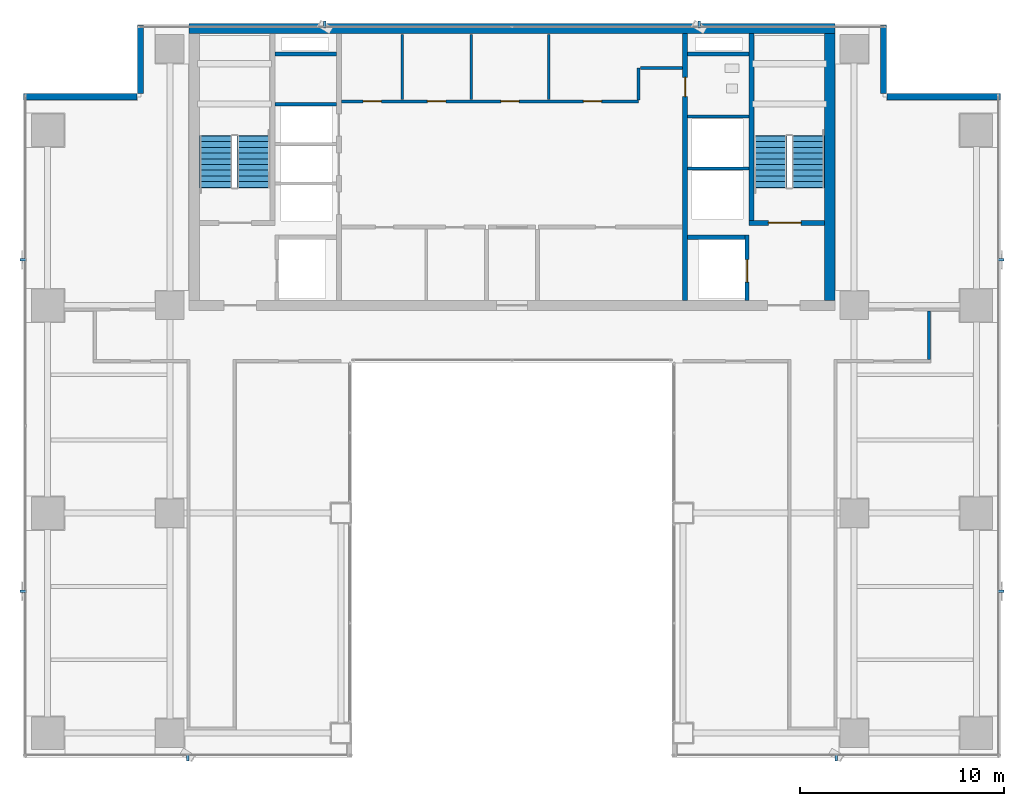
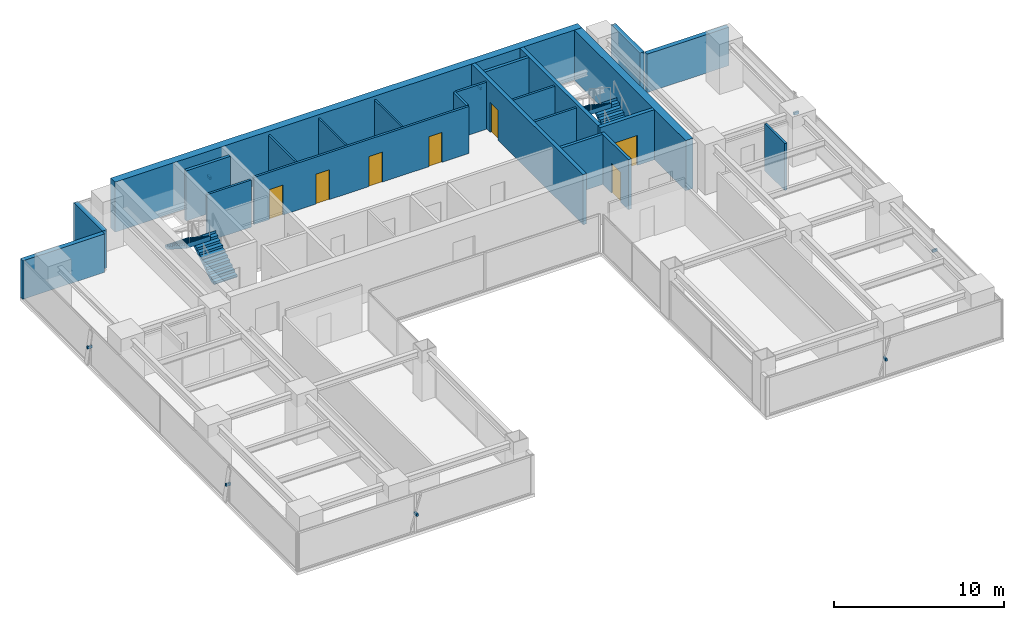
# One storey, part 25 of 29: 23 walls, 8 discrete accessories, 7 doors, 4 stair flights, 7 openings, 2 elements without a shape of their own.
"""IFC4 building model written with IfcOpenShell, lengths in metres."""

from ifc_helpers import new_model, si_unit, direction, frame, frame_2d, origin, origin_2d, place, context, subcontext, project, spatial, polyline, rectangle, outline, extrude, source, transform, mapped, material, layer, layer_set, material_profile, profile_set, type_object, element, fill, aggregate, save


model = new_model("IFC4")

# Units and contexts
model_context = context("Model", 3, precision=1e-05, world=origin(), true_north=direction((0.0, 1.0)))
body_context = subcontext(model_context, "Body", "Model", "MODEL_VIEW")
ifc_project = project(units=[si_unit("LENGTHUNIT", "METRE"), si_unit("AREAUNIT", "SQUARE_METRE"), si_unit("VOLUMEUNIT", "CUBIC_METRE"), si_unit("PLANEANGLEUNIT", "RADIAN"), si_unit("MASSUNIT", "GRAM", prefix="KILO")], contexts=[model_context])

# Site, building, storey
site_placement = place(None, origin())
site = spatial("IfcSite", under=ifc_project, at=site_placement, CompositionType="ELEMENT")
building_placement = place(site_placement, origin())
building = spatial("IfcBuilding", under=site, at=building_placement, Name="Sumidabori Civic Tower", CompositionType="ELEMENT")
storey_placement = place(building_placement, frame((0.0, 0.0, 207.199951171875)))
storey = spatial("IfcBuildingStorey", under=building, at=storey_placement, Name="L53", CompositionType="ELEMENT", Elevation=207.199951171875)

# Walls
ifc_material_1 = material(Name="Concrete C50/60", Category="concrete")
ifc_layer_1 = layer(ifc_material_1, 0.199951171875, Name="Concrete C50/60")
ifc_layer_set_1 = layer_set([ifc_layer_1], Name="Concrete C50/60")
wall_type_1 = type_object("IfcWallType", Name="WL-SHAFT-200", PredefinedType="SHEAR", material=ifc_layer_set_1)
shared_shape_1 = source(origin(), body_context, "Body", "SweptSolid", [
    extrude(rectangle(XDim=2.824951171875, YDim=0.199951171875, at=frame_2d((1.41259765625, 0.0))), origin(), (0.0, 0.0, 1.0), 3.60009765625),
])
wall_1_placement = place(storey_placement, frame((8.625, 13.550048828125, 0.0), z_axis=(0.0, 0.0, 1.0), x_axis=(1.0, 0.0, 0.0)))
element("IfcWall", 1, at=wall_1_placement, inside=storey, type_object=wall_type_1, Name="Core Shear Wall L53 EL2-N", PredefinedType="SHEAR", context=body_context, shape_type="MappedRepresentation", body=[
    mapped(shared_shape_1, transform((0.0, 0.0, 0.0), x_axis=(1.0, 0.0, 0.0), y_axis=(0.0, 1.0, 0.0), z_axis=(0.0, 0.0, 1.0), scale=1.0)),
])
shared_shape_2 = source(origin(), body_context, "Body", "SweptSolid", [
    extrude(rectangle(XDim=3.02001953125, YDim=0.199951171875, at=frame_2d((1.510009765625, 0.0))), origin(), (0.0, 0.0, 1.0), 3.60009765625),
])
for number, where, z_axis, x_axis, name in (
    (2, (-11.64501953125, 22.550048828125, 0.0), (0.0, 0.0, 1.0), (1.0, 0.0, 0.0), "Core Shear Wall L53 RIS1-S"),
    (3, (8.625, 22.550048828125, 0.0), (0.0, 0.0, 1.0), (1.0, 0.0, 0.0), "Core Shear Wall L53 RIS2-S"),
):
    element("IfcWall", number, at=place(storey_placement, frame(where, z_axis=z_axis, x_axis=x_axis)), inside=storey, type_object=wall_type_1, Name=name, PredefinedType="SHEAR", context=body_context, shape_type="MappedRepresentation", body=[
        mapped(shared_shape_2, transform((0.0, 0.0, 0.0), x_axis=(1.0, 0.0, 0.0), y_axis=(0.0, 1.0, 0.0), z_axis=(0.0, 0.0, 1.0), scale=1.0)),
    ])
ifc_layer_2 = layer(ifc_material_1, 0.5, Name="Concrete C50/60")
ifc_layer_set_2 = layer_set([ifc_layer_2], Name="Concrete C50/60")
wall_type_2 = type_object("IfcWallType", Name="WL-CORE-500", PredefinedType="SHEAR", material=ifc_layer_set_2)
shared_shape_3 = source(origin(), body_context, "Body", "SweptSolid", [
    extrude(rectangle(XDim=31.7001953125, YDim=0.5, at=frame_2d((15.85009765625, 0.0))), origin(), (0.0, 0.0, 1.0), 3.60009765625),
])
wall_2_placement = place(storey_placement, frame((-15.85009765625, 23.800048828125, 0.0), z_axis=(0.0, 0.0, 1.0), x_axis=(1.0, 0.0, 0.0)))
element("IfcWall", 4, at=wall_2_placement, inside=storey, type_object=wall_type_2, Name="Core Shear Wall L53 N", PredefinedType="SHEAR", context=body_context, shape_type="MappedRepresentation", body=[
    mapped(shared_shape_3, transform((0.0, 0.0, 0.0), x_axis=(1.0, 0.0, 0.0), y_axis=(0.0, 1.0, 0.0), z_axis=(0.0, 0.0, 1.0), scale=1.0)),
])
shared_shape_4 = source(origin(), body_context, "Body", "SweptSolid", [
    extrude(rectangle(XDim=13.10009765625, YDim=0.5, at=frame_2d((6.550048828125, 0.0))), origin(), (0.0, 0.0, 1.0), 3.60009765625),
])
wall_3_placement = place(storey_placement, frame((15.60009765625, 10.449951171875, 0.0), z_axis=(0.0, 0.0, 1.0), x_axis=(0.0, 1.0, 0.0)))
element("IfcWall", 5, at=wall_3_placement, inside=storey, type_object=wall_type_2, Name="Core Shear Wall L53 E", PredefinedType="SHEAR", context=body_context, shape_type="MappedRepresentation", body=[
    mapped(shared_shape_4, transform((0.0, 0.0, 0.0), x_axis=(1.0, 0.0, 0.0), y_axis=(0.0, 1.0, 0.0), z_axis=(0.0, 0.0, 1.0), scale=1.0)),
])

# Wall, opening, door
ifc_layer_3 = layer(ifc_material_1, 0.25, Name="Concrete C50/60")
ifc_layer_set_3 = layer_set([ifc_layer_3], Name="Concrete C50/60")
wall_type_3 = type_object("IfcWallType", Name="WL-SHAFT-250", PredefinedType="SHEAR", material=ifc_layer_set_3)
shared_shape_5 = source(origin(), body_context, "Body", "SweptSolid", [
    extrude(rectangle(XDim=13.10009765625, YDim=0.25, at=frame_2d((6.550048828125, 0.0))), origin(), (0.0, 0.0, 1.0), 3.60009765625),
])
wall_4_placement = place(storey_placement, frame((8.5, 10.449951171875, 0.0), z_axis=(0.0, 0.0, 1.0), x_axis=(0.0, 1.0, 0.0)))
wall_4 = element("IfcWall", 6, at=wall_4_placement, inside=storey, type_object=wall_type_3, Name="Core Shear Wall L53 WEB-E", PredefinedType="SHEAR", context=body_context, shape_type="MappedRepresentation", body=[
    mapped(shared_shape_5, transform((0.0, 0.0, 0.0), x_axis=(1.0, 0.0, 0.0), y_axis=(0.0, 1.0, 0.0), z_axis=(0.0, 0.0, 1.0), scale=1.0)),
])
opening_1_placement = place(wall_4_placement, frame((10.0, 0.0, 0.0)))
opening_1 = element("IfcOpeningElement", 7, at=opening_1_placement, cuts=wall_4, Name="Opening DR-2", PredefinedType="OPENING", context=body_context, shape_type="SweptSolid", body=[
    extrude(rectangle(XDim=0.949951171875, YDim=2.14990234375, at=frame_2d((0.47509765625, 1.074951171875))), frame((0.0, 0.136962890625, 0.0), z_axis=(0.0, -1.0, 0.0), x_axis=(1.0, 0.0, 0.0)), (0.0, 0.0, 1.0), 0.27392578125),
])
ifc_material_2 = material(Name="Japanese Hinoki Timber", Category="wood")
door_type_1 = type_object("IfcDoorType", Name="DR-INT-950", OperationType="NOTDEFINED", PredefinedType="DOOR", material=ifc_material_2)
shared_shape_6 = source(origin(), body_context, "Body", "SweptSolid", [
    extrude(rectangle(XDim=0.949951171875, YDim=2.14990234375, at=frame_2d((0.47509765625, 1.074951171875))), frame((0.0, 0.02490234375, 0.0), z_axis=(0.0, -1.0, 0.0), x_axis=(1.0, 0.0, 0.0)), (0.0, 0.0, 1.0), 0.050048828125),
])
door_1_placement = place(opening_1_placement, origin())
door_1 = element("IfcDoor", 8, at=door_1_placement, inside=storey, type_object=door_type_1, Name="Door DR:L53:WC-ACC", OperationType="SINGLE_SWING_RIGHT", OverallHeight=2.14990234375, OverallWidth=0.949951171875, PredefinedType="DOOR", context=body_context, shape_type="MappedRepresentation", body=[
    mapped(shared_shape_6, transform((0.0, 0.0, 0.0), x_axis=(1.0, 0.0, 0.0), y_axis=(0.0, 1.0, 0.0), z_axis=(0.0, 0.0, 1.0), scale=1.0)),
])
fill(opening_1, door_1)

shared_shape_7 = source(origin(), body_context, "Body", "SweptSolid", [
    extrude(rectangle(XDim=3.705078125, YDim=0.25, at=frame_2d((1.8525390625, 0.0))), origin(), (0.0, 0.0, 1.0), 3.60009765625),
])
wall_5_placement = place(storey_placement, frame((11.64501953125, 14.25, 0.0), z_axis=(0.0, 0.0, 1.0), x_axis=(1.0, 0.0, 0.0)))
wall_5 = element("IfcWall", 9, at=wall_5_placement, inside=storey, type_object=wall_type_3, Name="Core Shear Wall L53 ST2-S", PredefinedType="SHEAR", context=body_context, shape_type="MappedRepresentation", body=[
    mapped(shared_shape_7, transform((0.0, 0.0, 0.0), x_axis=(1.0, 0.0, 0.0), y_axis=(0.0, 1.0, 0.0), z_axis=(0.0, 0.0, 1.0), scale=1.0)),
])
opening_2_placement = place(wall_5_placement, frame((0.949951171875, 0.0, 0.0)))
opening_2 = element("IfcOpeningElement", 10, at=opening_2_placement, cuts=wall_5, Name="Opening DR-FD4", PredefinedType="OPENING", context=body_context, shape_type="SweptSolid", body=[
    extrude(rectangle(XDim=1.60009765625, YDim=2.14990234375, at=frame_2d((0.800048828125, 1.074951171875))), frame((0.0, 0.136962890625, 0.0), z_axis=(0.0, -1.0, 0.0), x_axis=(1.0, 0.0, 0.0)), (0.0, 0.0, 1.0), 0.27392578125),
])
ifc_material_3 = material(Name="Steel SN490", Category="steel")
door_type_2 = type_object("IfcDoorType", Name="DR-FD4", OperationType="DOUBLE_DOOR_SINGLE_SWING", PredefinedType="DOOR", material=ifc_material_3)
shared_shape_8 = source(origin(), body_context, "Body", "SweptSolid", [
    extrude(rectangle(XDim=1.60009765625, YDim=2.14990234375, at=frame_2d((0.800048828125, 1.074951171875))), frame((0.0, 0.02490234375, 0.0), z_axis=(0.0, -1.0, 0.0), x_axis=(1.0, 0.0, 0.0)), (0.0, 0.0, 1.0), 0.050048828125),
])
door_2_placement = place(opening_2_placement, origin())
door_2 = element("IfcDoor", 11, at=door_2_placement, inside=storey, type_object=door_type_2, Name="Door DR:L53:ST2", OperationType="DOUBLE_DOOR_SINGLE_SWING", OverallHeight=2.14990234375, OverallWidth=1.60009765625, PredefinedType="DOOR", context=body_context, shape_type="MappedRepresentation", body=[
    mapped(shared_shape_8, transform((0.0, 0.0, 0.0), x_axis=(1.0, 0.0, 0.0), y_axis=(0.0, 1.0, 0.0), z_axis=(0.0, 0.0, 1.0), scale=1.0)),
])
fill(opening_2, door_2)

# Wall
shared_shape_9 = source(origin(), body_context, "Body", "SweptSolid", [
    extrude(rectangle(XDim=9.175048828125, YDim=0.25, at=frame_2d((4.58740234375, 0.0))), origin(), (0.0, 0.0, 1.0), 3.60009765625),
])
wall_6_placement = place(storey_placement, frame((11.77001953125, 14.375, 0.0), z_axis=(0.0, 0.0, 1.0), x_axis=(0.0, 1.0, 0.0)))
element("IfcWall", 12, at=wall_6_placement, inside=storey, type_object=wall_type_3, Name="Core Shear Wall L53 ST2-W", PredefinedType="SHEAR", context=body_context, shape_type="MappedRepresentation", body=[
    mapped(shared_shape_9, transform((0.0, 0.0, 0.0), x_axis=(1.0, 0.0, 0.0), y_axis=(0.0, 1.0, 0.0), z_axis=(0.0, 0.0, 1.0), scale=1.0)),
])

# Wall, opening, door
shared_shape_10 = source(origin(), body_context, "Body", "SweptSolid", [
    extrude(rectangle(XDim=3.199951171875, YDim=0.199951171875, at=frame_2d((1.60009765625, 0.0))), origin(), (0.0, 0.0, 1.0), 3.60009765625),
])
wall_7_placement = place(storey_placement, frame((11.550048828125, 10.449951171875, 0.0), z_axis=(0.0, 0.0, 1.0), x_axis=(0.0, 1.0, 0.0)))
wall_7 = element("IfcWall", 13, at=wall_7_placement, inside=storey, type_object=wall_type_1, Name="Core Shear Wall L53 EL2-E", PredefinedType="SHEAR", context=body_context, shape_type="MappedRepresentation", body=[
    mapped(shared_shape_10, transform((0.0, 0.0, 0.0), x_axis=(1.0, 0.0, 0.0), y_axis=(0.0, 1.0, 0.0), z_axis=(0.0, 0.0, 1.0), scale=1.0)),
])
opening_3_placement = place(wall_7_placement, frame((0.89990234375, 0.0, 0.0)))
opening_3 = element("IfcOpeningElement", 14, at=opening_3_placement, cuts=wall_7, Name="Opening LD-2", PredefinedType="OPENING", context=body_context, shape_type="SweptSolid", body=[
    extrude(rectangle(XDim=1.10009765625, YDim=2.14990234375, at=frame_2d((0.550048828125, 1.074951171875))), frame((0.0, 0.11181640625, 0.0), z_axis=(0.0, -1.0, 0.0), x_axis=(1.0, 0.0, 0.0)), (0.0, 0.0, 1.0), 0.223876953125),
])
ifc_material_4 = material(Name="Stainless Steel Hairline Finish", Category="steel")
door_type_3 = type_object("IfcDoorType", Name="DR-LD2", OperationType="DOUBLE_DOOR_SLIDING", PredefinedType="DOOR", material=ifc_material_4)
shared_shape_11 = source(origin(), body_context, "Body", "SweptSolid", [
    extrude(rectangle(XDim=1.10009765625, YDim=2.14990234375, at=frame_2d((0.550048828125, 1.074951171875))), frame((0.0, 0.02490234375, 0.0), z_axis=(0.0, -1.0, 0.0), x_axis=(1.0, 0.0, 0.0)), (0.0, 0.0, 1.0), 0.050048828125),
])
door_3_placement = place(opening_3_placement, origin())
door_3 = element("IfcDoor", 15, at=door_3_placement, inside=storey, type_object=door_type_3, Name="Door DR:L53:LD-EL2", OperationType="DOUBLE_DOOR_SLIDING", OverallHeight=2.14990234375, OverallWidth=1.10009765625, PredefinedType="DOOR", context=body_context, shape_type="MappedRepresentation", body=[
    mapped(shared_shape_11, transform((0.0, 0.0, 0.0), x_axis=(1.0, 0.0, 0.0), y_axis=(0.0, 1.0, 0.0), z_axis=(0.0, 0.0, 1.0), scale=1.0)),
])
fill(opening_3, door_3)

# Walls
ifc_material_5 = material(Name="Precast concrete C40/50", Category="concrete")
ifc_layer_4 = layer(ifc_material_5, 0.300048828125, Name="Precast concrete C40/50")
ifc_layer_set_4 = layer_set([ifc_layer_4], Name="Precast concrete C40/50")
wall_type_4 = type_object("IfcWallType", Name="WL-EXT-POD300", PredefinedType="STANDARD", material=ifc_layer_set_4)
shared_shape_12 = source(origin(), body_context, "Body", "SweptSolid", [
    extrude(rectangle(XDim=5.56005859375, YDim=0.300048828125, at=frame_2d((2.780029296875, 0.0))), origin(), (0.0, 0.0, 1.0), 2.760009765625),
])
for number, where, z_axis, x_axis, name in (
    (16, (23.97998046875, 20.449951171875, 0.0), (0.0, 0.0, 1.0), (-1.0, 0.0, 0.0), "Notched Corner Spandrel Band L53-11"),
    (17, (-18.419921875, 20.449951171875, 0.0), (0.0, 0.0, 1.0), (-1.0, 0.0, 0.0), "Notched Corner Spandrel Band L53-15"),
):
    element("IfcWall", number, at=place(storey_placement, frame(where, z_axis=z_axis, x_axis=x_axis)), inside=storey, type_object=wall_type_4, Name=name, PredefinedType="STANDARD", context=body_context, shape_type="MappedRepresentation", body=[
        mapped(shared_shape_12, transform((0.0, 0.0, 0.0), x_axis=(1.0, 0.0, 0.0), y_axis=(0.0, 1.0, 0.0), z_axis=(0.0, 0.0, 1.0), scale=1.0)),
    ])
shared_shape_13 = source(origin(), body_context, "Body", "SweptSolid", [
    extrude(rectangle(XDim=3.35986328125, YDim=0.300048828125, at=frame_2d((1.679931640625, 0.0))), origin(), (0.0, 0.0, 1.0), 2.760009765625),
])
for number, where, z_axis, x_axis, name in (
    (18, (18.25, 20.6201171875, 0.0), (0.0, 0.0, 1.0), (0.0, 1.0, 0.0), "Notched Corner Spandrel Band L53-12"),
    (19, (-18.25, 23.97998046875, 0.0), (0.0, 0.0, 1.0), (0.0, -1.0, 0.0), "Notched Corner Spandrel Band L53-14"),
):
    element("IfcWall", number, at=place(storey_placement, frame(where, z_axis=z_axis, x_axis=x_axis)), inside=storey, type_object=wall_type_4, Name=name, PredefinedType="STANDARD", context=body_context, shape_type="MappedRepresentation", body=[
        mapped(shared_shape_13, transform((0.0, 0.0, 0.0), x_axis=(1.0, 0.0, 0.0), y_axis=(0.0, 1.0, 0.0), z_axis=(0.0, 0.0, 1.0), scale=1.0)),
    ])
ifc_material_6 = material(Name="Gypsum Plasterboard Acoustic Partition")
ifc_layer_5 = layer(ifc_material_6, 0.14990234375, Name="Gypsum Plasterboard Acoustic Partition")
ifc_layer_set_5 = layer_set([ifc_layer_5], Name="Gypsum Plasterboard Acoustic Partition")
wall_type_5 = type_object("IfcWallType", Name="WL-PART-150", PredefinedType="PARTITIONING", material=ifc_layer_set_5)
shared_shape_14 = source(origin(), body_context, "Body", "SweptSolid", [
    extrude(rectangle(XDim=3.010009765625, YDim=0.14990234375, at=frame_2d((1.5048828125, 0.0))), origin(), (0.0, 0.0, 1.0), 3.380126953125),
])
for number, where, z_axis, x_axis, name in (
    (20, (-11.639892578125, 20.080078125, 0.0), (0.0, 0.0, 1.0), (1.0, 0.0, 0.0), "Interior Partition WL:L53:DIV-PLH3"),
    (21, (8.6298828125, 16.919921875, 0.0), (0.0, 0.0, 1.0), (1.0, 0.0, 0.0), "Interior Partition WL:L53:DIV-OBS1"),
    (22, (8.6298828125, 19.469970703125, 0.0), (0.0, 0.0, 1.0), (1.0, 0.0, 0.0), "Interior Partition WL:L53:DIV-OBS2"),
):
    element("IfcWall", number, at=place(storey_placement, frame(where, z_axis=z_axis, x_axis=x_axis)), inside=storey, type_object=wall_type_5, Name=name, PredefinedType="PARTITIONING", context=body_context, shape_type="MappedRepresentation", body=[
        mapped(shared_shape_14, transform((0.0, 0.0, 0.0), x_axis=(1.0, 0.0, 0.0), y_axis=(0.0, 1.0, 0.0), z_axis=(0.0, 0.0, 1.0), scale=1.0)),
    ])

# Wall, openings, doors
shared_shape_15 = source(origin(), body_context, "Body", "SweptSolid", [
    extrude(rectangle(XDim=14.590087890625, YDim=0.14990234375, at=frame_2d((7.294921875, 0.0))), origin(), (0.0, 0.0, 1.0), 3.380126953125),
])
wall_8_placement = place(storey_placement, frame((-8.3701171875, 20.219970703125, 0.0), z_axis=(0.0, 0.0, 1.0), x_axis=(1.0, 0.0, 0.0)))
wall_8 = element("IfcWall", 23, at=wall_8_placement, inside=storey, type_object=wall_type_5, Name="Interior Partition WL:L53:CBAND-M", PredefinedType="PARTITIONING", context=body_context, shape_type="MappedRepresentation", body=[
    mapped(shared_shape_15, transform((0.0, 0.0, 0.0), x_axis=(1.0, 0.0, 0.0), y_axis=(0.0, 1.0, 0.0), z_axis=(0.0, 0.0, 1.0), scale=1.0)),
])
opening_4_placement = place(wall_8_placement, frame((1.06005859375, 0.0, 0.0)))
opening_4 = element("IfcOpeningElement", 24, at=opening_4_placement, cuts=wall_8, Name="Opening DR-1", PredefinedType="OPENING", context=body_context, shape_type="SweptSolid", body=[
    extrude(rectangle(XDim=0.89990234375, YDim=2.14990234375, at=frame_2d((0.449951171875, 1.074951171875))), frame((0.0, 0.0869140625, 0.0), z_axis=(0.0, -1.0, 0.0), x_axis=(1.0, 0.0, 0.0)), (0.0, 0.0, 1.0), 0.173828125),
])
opening_5_placement = place(wall_8_placement, frame((4.219970703125, 0.0, 0.0)))
opening_5 = element("IfcOpeningElement", 25, at=opening_5_placement, cuts=wall_8, Name="Opening DR-1", PredefinedType="OPENING", context=body_context, shape_type="SweptSolid", body=[
    extrude(rectangle(XDim=0.89990234375, YDim=2.14990234375, at=frame_2d((0.449951171875, 1.074951171875))), frame((0.0, 0.0869140625, 0.0), z_axis=(0.0, -1.0, 0.0), x_axis=(1.0, 0.0, 0.0)), (0.0, 0.0, 1.0), 0.173828125),
])
opening_6_placement = place(wall_8_placement, frame((7.820068359375, 0.0, 0.0)))
opening_6 = element("IfcOpeningElement", 26, at=opening_6_placement, cuts=wall_8, Name="Opening DR-1", PredefinedType="OPENING", context=body_context, shape_type="SweptSolid", body=[
    extrude(rectangle(XDim=0.89990234375, YDim=2.14990234375, at=frame_2d((0.449951171875, 1.074951171875))), frame((0.0, 0.0869140625, 0.0), z_axis=(0.0, -1.0, 0.0), x_axis=(1.0, 0.0, 0.0)), (0.0, 0.0, 1.0), 0.173828125),
])
opening_7_placement = place(wall_8_placement, frame((11.8701171875, 0.0, 0.0)))
opening_7 = element("IfcOpeningElement", 27, at=opening_7_placement, cuts=wall_8, Name="Opening DR-1", PredefinedType="OPENING", context=body_context, shape_type="SweptSolid", body=[
    extrude(rectangle(XDim=0.89990234375, YDim=2.14990234375, at=frame_2d((0.449951171875, 1.074951171875))), frame((0.0, 0.0869140625, 0.0), z_axis=(0.0, -1.0, 0.0), x_axis=(1.0, 0.0, 0.0)), (0.0, 0.0, 1.0), 0.173828125),
])
door_type_4 = type_object("IfcDoorType", Name="DR-INT-900", OperationType="NOTDEFINED", PredefinedType="DOOR", material=ifc_material_2)
shared_shape_16 = source(origin(), body_context, "Body", "SweptSolid", [
    extrude(rectangle(XDim=0.89990234375, YDim=2.14990234375, at=frame_2d((0.449951171875, 1.074951171875))), frame((0.0, 0.02490234375, 0.0), z_axis=(0.0, -1.0, 0.0), x_axis=(1.0, 0.0, 0.0)), (0.0, 0.0, 1.0), 0.050048828125),
])
door_4_placement = place(opening_4_placement, origin())
door_4 = element("IfcDoor", 28, at=door_4_placement, inside=storey, type_object=door_type_4, Name="Door DR:L53:CB-1", OperationType="SINGLE_SWING_LEFT", OverallHeight=2.14990234375, OverallWidth=0.89990234375, PredefinedType="DOOR", context=body_context, shape_type="MappedRepresentation", body=[
    mapped(shared_shape_16, transform((0.0, 0.0, 0.0), x_axis=(1.0, 0.0, 0.0), y_axis=(0.0, 1.0, 0.0), z_axis=(0.0, 0.0, 1.0), scale=1.0)),
])
fill(opening_4, door_4)
door_5_placement = place(opening_5_placement, origin())
door_5 = element("IfcDoor", 29, at=door_5_placement, inside=storey, type_object=door_type_4, Name="Door DR:L53:CB-2", OperationType="SINGLE_SWING_RIGHT", OverallHeight=2.14990234375, OverallWidth=0.89990234375, PredefinedType="DOOR", context=body_context, shape_type="MappedRepresentation", body=[
    mapped(shared_shape_16, transform((0.0, 0.0, 0.0), x_axis=(1.0, 0.0, 0.0), y_axis=(0.0, 1.0, 0.0), z_axis=(0.0, 0.0, 1.0), scale=1.0)),
])
fill(opening_5, door_5)
door_6_placement = place(opening_6_placement, origin())
door_6 = element("IfcDoor", 30, at=door_6_placement, inside=storey, type_object=door_type_4, Name="Door DR:L53:CB-3", OperationType="SINGLE_SWING_LEFT", OverallHeight=2.14990234375, OverallWidth=0.89990234375, PredefinedType="DOOR", context=body_context, shape_type="MappedRepresentation", body=[
    mapped(shared_shape_16, transform((0.0, 0.0, 0.0), x_axis=(1.0, 0.0, 0.0), y_axis=(0.0, 1.0, 0.0), z_axis=(0.0, 0.0, 1.0), scale=1.0)),
])
fill(opening_6, door_6)
door_7_placement = place(opening_7_placement, origin())
door_7 = element("IfcDoor", 31, at=door_7_placement, inside=storey, type_object=door_type_4, Name="Door DR:L53:CB-4", OperationType="SINGLE_SWING_RIGHT", OverallHeight=2.14990234375, OverallWidth=0.89990234375, PredefinedType="DOOR", context=body_context, shape_type="MappedRepresentation", body=[
    mapped(shared_shape_16, transform((0.0, 0.0, 0.0), x_axis=(1.0, 0.0, 0.0), y_axis=(0.0, 1.0, 0.0), z_axis=(0.0, 0.0, 1.0), scale=1.0)),
])
fill(opening_7, door_7)

# Walls
shared_shape_17 = source(origin(), body_context, "Body", "SweptSolid", [
    extrude(rectangle(XDim=1.550048828125, YDim=0.14990234375, at=frame_2d((0.77490234375, 0.0))), origin(), (0.0, 0.0, 1.0), 3.380126953125),
])
wall_9_placement = place(storey_placement, frame((6.219970703125, 20.300048828125, 0.0), z_axis=(0.0, 0.0, 1.0), x_axis=(0.0, 1.0, 0.0)))
element("IfcWall", 32, at=wall_9_placement, inside=storey, type_object=wall_type_5, Name="Interior Partition WL:L53:CBAND-ME1", PredefinedType="PARTITIONING", context=body_context, shape_type="MappedRepresentation", body=[
    mapped(shared_shape_17, transform((0.0, 0.0, 0.0), x_axis=(1.0, 0.0, 0.0), y_axis=(0.0, 1.0, 0.0), z_axis=(0.0, 0.0, 1.0), scale=1.0)),
])
shared_shape_18 = source(origin(), body_context, "Body", "SweptSolid", [
    extrude(rectangle(XDim=2.070068359375, YDim=0.14990234375, at=frame_2d((1.03515625, 0.0))), origin(), (0.0, 0.0, 1.0), 3.380126953125),
])
wall_10_placement = place(storey_placement, frame((6.300048828125, 21.85009765625, 0.0), z_axis=(0.0, 0.0, 1.0), x_axis=(1.0, 0.0, 0.0)))
element("IfcWall", 33, at=wall_10_placement, inside=storey, type_object=wall_type_5, Name="Interior Partition WL:L53:CBAND-ME2", PredefinedType="PARTITIONING", context=body_context, shape_type="MappedRepresentation", body=[
    mapped(shared_shape_18, transform((0.0, 0.0, 0.0), x_axis=(1.0, 0.0, 0.0), y_axis=(0.0, 1.0, 0.0), z_axis=(0.0, 0.0, 1.0), scale=1.0)),
])
ifc_layer_6 = layer(ifc_material_6, 0.1201171875, Name="Gypsum Plasterboard Acoustic Partition")
ifc_layer_set_6 = layer_set([ifc_layer_6], Name="Gypsum Plasterboard Acoustic Partition")
wall_type_6 = type_object("IfcWallType", Name="WL-PART-120", PredefinedType="PARTITIONING", material=ifc_layer_set_6)
shared_shape_19 = source(origin(), body_context, "Body", "SweptSolid", [
    extrude(rectangle(XDim=3.18994140625, YDim=0.1201171875, at=frame_2d((1.594970703125, 0.0))), origin(), (0.0, 0.0, 1.0), 3.380126953125),
])
for number, where, z_axis, x_axis, name in (
    (34, (-5.39990234375, 20.320068359375, 0.0), (0.0, 0.0, 1.0), (0.0, 1.0, 0.0), "Interior Partition WL:L53:LV8-S1"),
    (35, (-2.0, 20.320068359375, 0.0), (0.0, 0.0, 1.0), (0.0, 1.0, 0.0), "Interior Partition WL:L53:LV8-S2"),
    (36, (1.800048828125, 20.320068359375, 0.0), (0.0, 0.0, 1.0), (0.0, 1.0, 0.0), "Interior Partition WL:L53:LV8-S3"),
):
    element("IfcWall", number, at=place(storey_placement, frame(where, z_axis=z_axis, x_axis=x_axis)), inside=storey, type_object=wall_type_6, Name=name, PredefinedType="PARTITIONING", context=body_context, shape_type="MappedRepresentation", body=[
        mapped(shared_shape_19, transform((0.0, 0.0, 0.0), x_axis=(1.0, 0.0, 0.0), y_axis=(0.0, 1.0, 0.0), z_axis=(0.0, 0.0, 1.0), scale=1.0)),
    ])
shared_shape_20 = source(origin(), body_context, "Body", "SweptSolid", [
    extrude(rectangle(XDim=2.364990234375, YDim=0.14990234375, at=frame_2d((1.1826171875, 0.0))), origin(), (0.0, 0.0, 1.0), 3.380126953125),
])
wall_11_placement = place(storey_placement, frame((20.47509765625, 7.554931640625, 0.0), z_axis=(0.0, 0.0, 1.0), x_axis=(0.0, 1.0, 0.0)))
element("IfcWall", 37, at=wall_11_placement, inside=storey, type_object=wall_type_5, Name="Interior Partition WL:L53:CORR-VNE", PredefinedType="PARTITIONING", context=body_context, shape_type="MappedRepresentation", body=[
    mapped(shared_shape_20, transform((0.0, 0.0, 0.0), x_axis=(1.0, 0.0, 0.0), y_axis=(0.0, 1.0, 0.0), z_axis=(0.0, 0.0, 1.0), scale=1.0)),
])

# Stair, stair flights
ifc_material_7 = material(Name="Concrete C40/50", Category="concrete")
stair_type = type_object("IfcStairType", Name="ST-CORE-1600", PredefinedType="HALF_TURN_STAIR", material=ifc_material_7)
stair_1_placement = place(storey_placement, origin())
stair_1 = element("IfcStair", 38, at=stair_1_placement, inside=storey, type_object=stair_type, Name="L53 ST-1", PredefinedType="HALF_TURN_STAIR")
stair_flight_type = type_object("IfcStairFlightType", Name="SF-CORE-1600", PredefinedType="STRAIGHT", material=ifc_material_7)
shared_shape_21 = source(origin(), body_context, "Body", "SweptSolid", [
    extrude(outline(polyline([(-0.02490234375, 0.0), (-0.02490234375, 0.0400390625), (0.0, 0.0400390625), (0.0, 0.179931640625), (0.280029296875, 0.179931640625), (0.280029296875, 0.360107421875), (0.56005859375, 0.360107421875), (0.56005859375, 0.5400390625), (0.840087890625, 0.5400390625), (0.840087890625, 0.719970703125), (1.1201171875, 0.719970703125), (1.1201171875, 0.89990234375), (1.39990234375, 0.89990234375), (1.39990234375, 1.080078125), (1.679931640625, 1.080078125), (1.679931640625, 1.260009765625), (1.9599609375, 1.260009765625), (1.9599609375, 1.43994140625), (2.239990234375, 1.43994140625), (2.239990234375, 1.6201171875), (2.52001953125, 1.6201171875), (2.52001953125, 1.800048828125), (2.544921875, 1.800048828125), (2.544921875, 1.650146484375), (2.52001953125, 1.44189453125), (0.277099609375, 0.0), (-0.02490234375, 0.0)])), frame((0.0, 0.800048828125, 0.0), z_axis=(0.0, -1.0, 0.0), x_axis=(1.0, 0.0, 0.0)), (0.0, 0.0, 1.0), 1.60009765625),
])
stair_flight_1_placement = place(storey_placement, frame((-12.699951171875, 16.0, 0.0), z_axis=(0.0, 0.0, 1.0), x_axis=(0.0, 1.0, 0.0)))
stair_flight_1 = element("IfcStairFlight", 39, at=stair_flight_1_placement, type_object=stair_flight_type, Name="ST-1 flight 1", NumberOfRisers=10, NumberOfTreads=9, PredefinedType="STRAIGHT", RiserHeight=0.18, TreadLength=0.28, context=body_context, shape_type="MappedRepresentation", body=[
    mapped(shared_shape_21, transform((0.0, 0.0, 0.0), x_axis=(1.0, 0.0, 0.0), y_axis=(0.0, 1.0, 0.0), z_axis=(0.0, 0.0, 1.0), scale=1.0)),
])
stair_flight_2_placement = place(storey_placement, frame((-14.5400390625, 18.52001953125, 1.800048828125), z_axis=(0.0, 0.0, 1.0), x_axis=(0.0, -1.0, 0.0)))
stair_flight_2 = element("IfcStairFlight", 40, at=stair_flight_2_placement, type_object=stair_flight_type, Name="ST-1 flight 2", NumberOfRisers=10, NumberOfTreads=9, PredefinedType="STRAIGHT", RiserHeight=0.18, TreadLength=0.28, context=body_context, shape_type="MappedRepresentation", body=[
    mapped(shared_shape_21, transform((0.0, 0.0, 0.0), x_axis=(1.0, 0.0, 0.0), y_axis=(0.0, 1.0, 0.0), z_axis=(0.0, 0.0, 1.0), scale=1.0)),
])
aggregate(stair_1, [stair_flight_1, stair_flight_2])

stair_2_placement = place(storey_placement, origin())
stair_2 = element("IfcStair", 41, at=stair_2_placement, inside=storey, type_object=stair_type, Name="L53 ST-2", PredefinedType="HALF_TURN_STAIR")
stair_flight_3_placement = place(storey_placement, frame((14.5400390625, 16.0, 0.0), z_axis=(0.0, 0.0, 1.0), x_axis=(0.0, 1.0, 0.0)))
stair_flight_3 = element("IfcStairFlight", 42, at=stair_flight_3_placement, type_object=stair_flight_type, Name="ST-2 flight 1", NumberOfRisers=10, NumberOfTreads=9, PredefinedType="STRAIGHT", RiserHeight=0.18, TreadLength=0.28, context=body_context, shape_type="MappedRepresentation", body=[
    mapped(shared_shape_21, transform((0.0, 0.0, 0.0), x_axis=(1.0, 0.0, 0.0), y_axis=(0.0, 1.0, 0.0), z_axis=(0.0, 0.0, 1.0), scale=1.0)),
])
stair_flight_4_placement = place(storey_placement, frame((12.699951171875, 18.52001953125, 1.800048828125), z_axis=(0.0, 0.0, 1.0), x_axis=(0.0, -1.0, 0.0)))
stair_flight_4 = element("IfcStairFlight", 43, at=stair_flight_4_placement, type_object=stair_flight_type, Name="ST-2 flight 2", NumberOfRisers=10, NumberOfTreads=9, PredefinedType="STRAIGHT", RiserHeight=0.18, TreadLength=0.28, context=body_context, shape_type="MappedRepresentation", body=[
    mapped(shared_shape_21, transform((0.0, 0.0, 0.0), x_axis=(1.0, 0.0, 0.0), y_axis=(0.0, 1.0, 0.0), z_axis=(0.0, 0.0, 1.0), scale=1.0)),
])
aggregate(stair_2, [stair_flight_3, stair_flight_4])

# Discrete accessories
ifc_material_profile = material_profile(ifc_material_4, rectangle(XDim=0.1201171875, YDim=0.179931640625, at=origin_2d()), Name="STEEL BRACKET 180x120")
ifc_profile_set = profile_set([ifc_material_profile], Name="Stainless Steel Hairline Finish")
discrete_accessory_type = type_object("IfcDiscreteAccessoryType", Name="AC-BRK-180", PredefinedType="BRACKET", material=ifc_profile_set)
shared_shape_22 = source(origin(), body_context, "Body", "SweptSolid", [
    extrude(rectangle(XDim=0.1201171875, YDim=0.179931640625, at=origin_2d()), origin(), (0.0, 0.0, 1.0), 0.329833984375),
])
for number, where, z_axis, x_axis, name in (
    (44, (-15.925048828125, -11.830078125, 1.3701171875), (0.0, -1.0, 0.0), (1.0, 0.0, 0.0), "Bronze Fin Fixing Bracket L53-01"),
    (45, (15.925048828125, -11.830078125, 1.3701171875), (0.0, -1.0, 0.0), (1.0, 0.0, 0.0), "Bronze Fin Fixing Bracket L53-01"),
    (46, (23.830078125, -3.8349609375, 1.3701171875), (1.0, 0.0, 0.0), (0.0, 1.0, 0.0), "Bronze Fin Fixing Bracket L53-01"),
    (47, (23.830078125, 12.43505859375, 1.3701171875), (1.0, 0.0, 0.0), (0.0, 1.0, 0.0), "Bronze Fin Fixing Bracket L53-03"),
    (48, (9.18505859375, 23.830078125, 1.3701171875), (0.0, 1.0, 0.0), (-1.0, 0.0, 0.0), "Bronze Fin Fixing Bracket L53-01"),
    (49, (-9.18505859375, 23.830078125, 1.3701171875), (0.0, 1.0, 0.0), (-1.0, 0.0, 0.0), "Bronze Fin Fixing Bracket L53-03"),
    (50, (-23.830078125, 12.43505859375, 1.3701171875), (-1.0, 0.0, 0.0), (0.0, -1.0, 0.0), "Bronze Fin Fixing Bracket L53-01"),
    (51, (-23.830078125, -3.8349609375, 1.3701171875), (-1.0, 0.0, 0.0), (0.0, -1.0, 0.0), "Bronze Fin Fixing Bracket L53-03"),
):
    element("IfcDiscreteAccessory", number, at=place(storey_placement, frame(where, z_axis=z_axis, x_axis=x_axis)), inside=storey, type_object=discrete_accessory_type, Name=name, PredefinedType="BRACKET", context=body_context, shape_type="MappedRepresentation", body=[
        mapped(shared_shape_22, transform((0.0, 0.0, 0.0), x_axis=(1.0, 0.0, 0.0), y_axis=(0.0, 1.0, 0.0), z_axis=(0.0, 0.0, 1.0), scale=1.0)),
    ])

save(model, "model.ifc")
